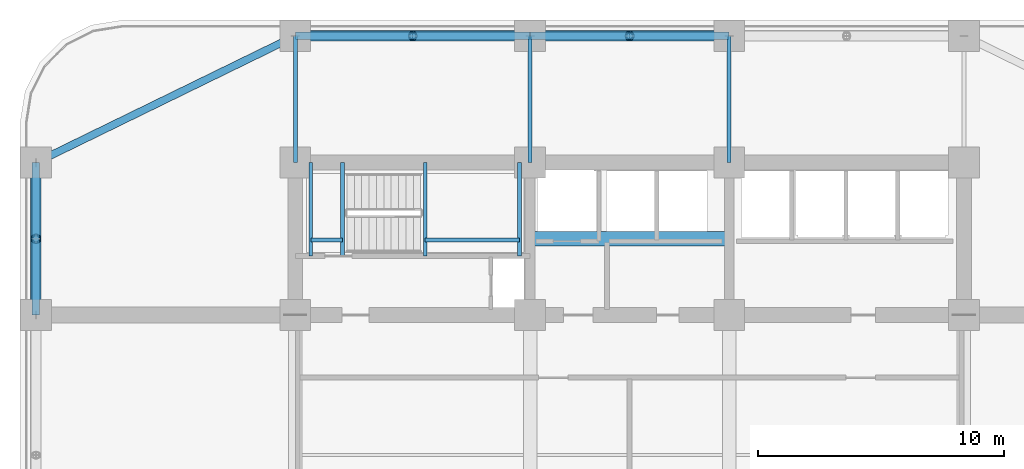
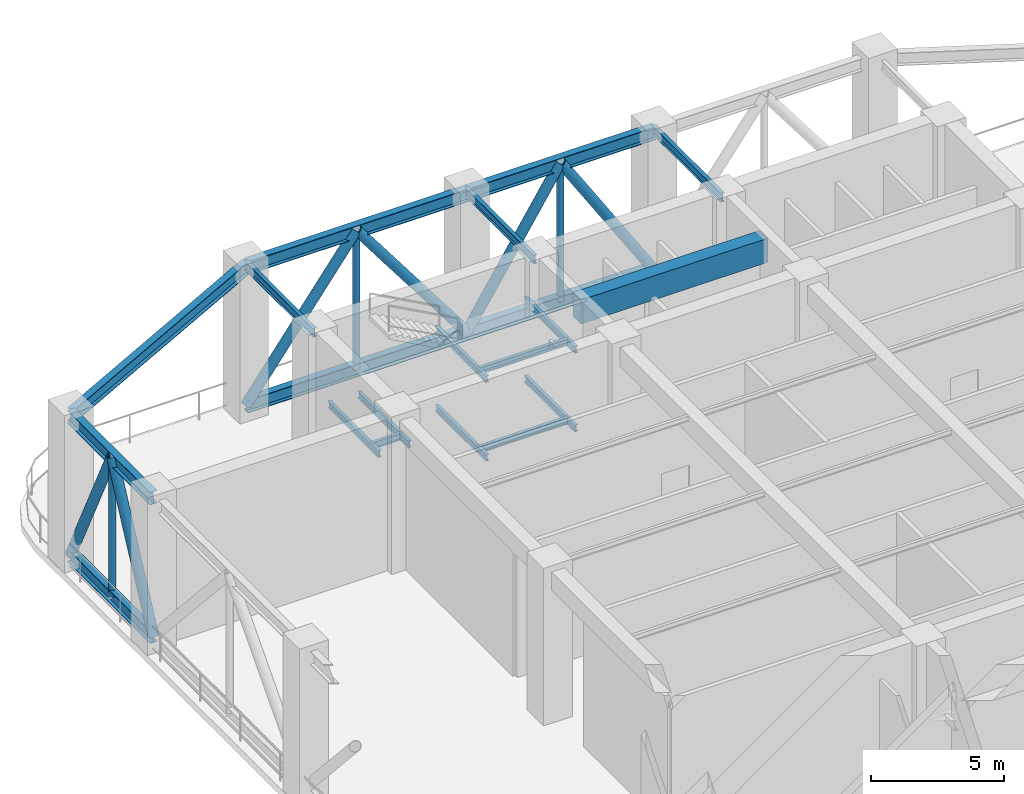
# One storey, part 8 of 20: 20 beams, 9 members.
"""IFC4 building model written with IfcOpenShell, lengths in metres."""

from ifc_helpers import new_model, si_unit, direction, frame, origin, origin_2d, place, context, subcontext, project, spatial, rectangle, hollow_circle, i_section, extrude, material, material_profile, profile_set, type_object, element, save


model = new_model("IFC4")

# Units and contexts
model_context = context("Model", 3, precision=1e-05, world=origin(), true_north=direction((0.0, 1.0)))
body_context = subcontext(model_context, "Body", "Model", "MODEL_VIEW")
ifc_project = project(units=[si_unit("LENGTHUNIT", "METRE"), si_unit("AREAUNIT", "SQUARE_METRE"), si_unit("VOLUMEUNIT", "CUBIC_METRE"), si_unit("PLANEANGLEUNIT", "RADIAN"), si_unit("MASSUNIT", "GRAM", prefix="KILO")], contexts=[model_context])

# Site, building, storey
site_placement = place(None, origin())
site = spatial("IfcSite", under=ifc_project, at=site_placement, CompositionType="ELEMENT")
building_placement = place(site_placement, origin())
building = spatial("IfcBuilding", under=site, at=building_placement, Name="Svetorya Sky Lyceum", CompositionType="ELEMENT")
storey_placement = place(building_placement, frame((0.0, 0.0, 76.89990234375)))
storey = spatial("IfcBuildingStorey", under=building, at=storey_placement, Name="L19", CompositionType="ELEMENT", Elevation=76.89990234375)

# Beams
ifc_material_1 = material(Name="Concrete C60/75", Category="concrete")
ifc_material_profile_1 = material_profile(ifc_material_1, rectangle(XDim=0.60009765625, YDim=1.10009765625, at=origin_2d()), Name="RC COUPLING 600x1100")
ifc_profile_set_1 = profile_set([ifc_material_profile_1], Name="Concrete C60/75")
beam_type_1 = type_object("IfcBeamType", Name="BM-CPL-1100", PredefinedType="LINTEL", material=ifc_profile_set_1)
beam_1_placement = place(storey_placement, frame((35.14990234375, 42.699951171875, 6.3701171875), z_axis=(1.0, 0.0, 0.0), x_axis=(0.0, 1.0, 0.0)))
element("IfcBeam", 1, at=beam_1_placement, inside=storey, type_object=beam_type_1, Name="L19 NC Core Coupling Beam", PredefinedType="LINTEL", context=body_context, shape_type="SweptSolid", body=[
    extrude(rectangle(XDim=0.60009765625, YDim=1.10009765625, at=origin_2d()), origin(), (0.0, 0.0, 1.0), 8.10009765625),
])
ifc_material_2 = material(Name="Steel S355", Category="steel")
ifc_material_profile_2 = material_profile(ifc_material_2, i_section(OverallWidth=0.14990234375, OverallDepth=0.299072265625, WebThickness=0.006591796875, FlangeThickness=0.010498046875, at=origin_2d()), Name="GOST 30B2")
ifc_profile_set_2 = profile_set([ifc_material_profile_2], Name="Steel S355")
beam_type_2 = type_object("IfcBeamType", Name="BM-STL-30B2", PredefinedType="JOIST", material=ifc_profile_set_2)
for number, where, z_axis, x_axis, name in (
    (2, (30.8798828125, 42.0, 1.45068359375), (0.0, 1.0, 0.0), (-1.0, 0.0, 0.0), "L19 Stair ST-N Half-Landing Support Beam 21.1"),
    (3, (34.719970703125, 42.0, 1.45068359375), (0.0, 1.0, 0.0), (-1.0, 0.0, 0.0), "L19 Stair ST-N Half-Landing Support Beam 21.2"),
):
    element("IfcBeam", number, at=place(storey_placement, frame(where, z_axis=z_axis, x_axis=x_axis)), inside=storey, type_object=beam_type_2, Name=name, PredefinedType="JOIST", context=body_context, shape_type="SweptSolid", body=[
        extrude(i_section(OverallWidth=0.14990234375, OverallDepth=0.299072265625, WebThickness=0.006591796875, FlangeThickness=0.010498046875, at=origin_2d()), origin(), (0.0, 0.0, 1.0), 3.800048828125),
    ])
beam_2_placement = place(storey_placement, frame((30.8798828125, 42.64990234375, 1.45068359375), z_axis=(1.0, 0.0, 0.0), x_axis=(0.0, 1.0, 0.0)))
element("IfcBeam", 4, at=beam_2_placement, inside=storey, type_object=beam_type_2, Name="L19 Stair ST-N Half-Landing Cross Tie 21", PredefinedType="JOIST", context=body_context, shape_type="SweptSolid", body=[
    extrude(i_section(OverallWidth=0.14990234375, OverallDepth=0.299072265625, WebThickness=0.006591796875, FlangeThickness=0.010498046875, at=origin_2d()), origin(), (0.0, 0.0, 1.0), 3.840087890625),
])
for number, where, z_axis, x_axis, name in (
    (5, (26.22998046875, 42.0, 3.25048828125), (0.0, 1.0, 0.0), (-1.0, 0.0, 0.0), "L19 Stair ST-N Half-Landing Support Beam 22.1"),
    (6, (27.52001953125, 42.0, 3.25048828125), (0.0, 1.0, 0.0), (-1.0, 0.0, 0.0), "L19 Stair ST-N Half-Landing Support Beam 22.2"),
):
    element("IfcBeam", number, at=place(storey_placement, frame(where, z_axis=z_axis, x_axis=x_axis)), inside=storey, type_object=beam_type_2, Name=name, PredefinedType="JOIST", context=body_context, shape_type="SweptSolid", body=[
        extrude(i_section(OverallWidth=0.14990234375, OverallDepth=0.299072265625, WebThickness=0.006591796875, FlangeThickness=0.010498046875, at=origin_2d()), origin(), (0.0, 0.0, 1.0), 3.800048828125),
    ])
beam_3_placement = place(storey_placement, frame((26.22998046875, 42.64990234375, 3.25048828125), z_axis=(1.0, 0.0, 0.0), x_axis=(0.0, 1.0, 0.0)))
element("IfcBeam", 7, at=beam_3_placement, inside=storey, type_object=beam_type_2, Name="L19 Stair ST-N Half-Landing Cross Tie 22", PredefinedType="JOIST", context=body_context, shape_type="SweptSolid", body=[
    extrude(i_section(OverallWidth=0.14990234375, OverallDepth=0.299072265625, WebThickness=0.006591796875, FlangeThickness=0.010498046875, at=origin_2d()), origin(), (0.0, 0.0, 1.0), 1.2900390625),
])
for number, where, z_axis, x_axis, name in (
    (8, (30.8798828125, 42.0, 5.050537109375), (0.0, 1.0, 0.0), (-1.0, 0.0, 0.0), "L19 Stair ST-N Half-Landing Support Beam 23.1"),
    (9, (34.719970703125, 42.0, 5.050537109375), (0.0, 1.0, 0.0), (-1.0, 0.0, 0.0), "L19 Stair ST-N Half-Landing Support Beam 23.2"),
):
    element("IfcBeam", number, at=place(storey_placement, frame(where, z_axis=z_axis, x_axis=x_axis)), inside=storey, type_object=beam_type_2, Name=name, PredefinedType="JOIST", context=body_context, shape_type="SweptSolid", body=[
        extrude(i_section(OverallWidth=0.14990234375, OverallDepth=0.299072265625, WebThickness=0.006591796875, FlangeThickness=0.010498046875, at=origin_2d()), origin(), (0.0, 0.0, 1.0), 3.800048828125),
    ])
beam_4_placement = place(storey_placement, frame((30.8798828125, 42.64990234375, 5.050537109375), z_axis=(1.0, 0.0, 0.0), x_axis=(0.0, 1.0, 0.0)))
element("IfcBeam", 10, at=beam_4_placement, inside=storey, type_object=beam_type_2, Name="L19 Stair ST-N Half-Landing Cross Tie 23", PredefinedType="JOIST", context=body_context, shape_type="SweptSolid", body=[
    extrude(i_section(OverallWidth=0.14990234375, OverallDepth=0.299072265625, WebThickness=0.006591796875, FlangeThickness=0.010498046875, at=origin_2d()), origin(), (0.0, 0.0, 1.0), 3.840087890625),
])
ifc_material_profile_3 = material_profile(ifc_material_2, i_section(OverallWidth=0.1650390625, OverallDepth=0.39990234375, WebThickness=0.008056640625, FlangeThickness=0.012939453125, at=origin_2d()), Name="GOST 40B2")
ifc_profile_set_3 = profile_set([ifc_material_profile_3], Name="Steel S355")
beam_type_3 = type_object("IfcBeamType", Name="BM-STL-40B2", PredefinedType="JOIST", material=ifc_profile_set_3)
for number, where, z_axis, x_axis, name in (
    (11, (25.60009765625, 45.800048828125, 6.72021484375), (0.0, 1.0, 0.0), (-1.0, 0.0, 0.0), "L19 North Bay Floor Girder N1"),
    (12, (35.14990234375, 45.800048828125, 6.72021484375), (0.0, 1.0, 0.0), (-1.0, 0.0, 0.0), "L19 North Bay Floor Girder N2"),
    (13, (43.25, 45.800048828125, 6.72021484375), (0.0, 1.0, 0.0), (-1.0, 0.0, 0.0), "L19 North Bay Floor Girder N3"),
):
    element("IfcBeam", number, at=place(storey_placement, frame(where, z_axis=z_axis, x_axis=x_axis)), inside=storey, type_object=beam_type_3, Name=name, PredefinedType="JOIST", context=body_context, shape_type="SweptSolid", body=[
        extrude(i_section(OverallWidth=0.1650390625, OverallDepth=0.39990234375, WebThickness=0.008056640625, FlangeThickness=0.012939453125, at=origin_2d()), origin(), (0.0, 0.0, 1.0), 5.14990234375),
    ])
ifc_material_profile_4 = material_profile(ifc_material_2, i_section(OverallWidth=0.304931640625, OverallDepth=0.590087890625, WebThickness=0.014892578125, FlangeThickness=0.02392578125, at=origin_2d()), Name="GOST 60Sh2")
ifc_profile_set_4 = profile_set([ifc_material_profile_4], Name="Steel S355")
beam_type_4 = type_object("IfcBeamType", Name="BM-STL-60SH2", PredefinedType="BEAM", material=ifc_profile_set_4)
for number, where, z_axis, x_axis, name in (
    (14, (25.60009765625, 50.949951171875, 0.295166015625), (1.0, 0.0, 0.0), (0.0, 1.0, 0.0), "L19 Belt Truss Bottom Chord N-1"),
    (15, (25.60009765625, 50.949951171875, 6.625), (1.0, 0.0, 0.0), (0.0, 1.0, 0.0), "L19 Belt Truss Top Chord N-1"),
):
    element("IfcBeam", number, at=place(storey_placement, frame(where, z_axis=z_axis, x_axis=x_axis)), inside=storey, type_object=beam_type_4, Name=name, PredefinedType="BEAM", context=body_context, shape_type="SweptSolid", body=[
        extrude(i_section(OverallWidth=0.304931640625, OverallDepth=0.590087890625, WebThickness=0.014892578125, FlangeThickness=0.02392578125, at=origin_2d()), origin(), (0.0, 0.0, 1.0), 9.5498046875),
    ])
for number, where, z_axis, x_axis, name in (
    (16, (35.14990234375, 50.949951171875, 0.295166015625), (1.0, 0.0, 0.0), (0.0, 1.0, 0.0), "L19 Belt Truss Bottom Chord N-2"),
    (17, (35.14990234375, 50.949951171875, 6.625), (1.0, 0.0, 0.0), (0.0, 1.0, 0.0), "L19 Belt Truss Top Chord N-2"),
):
    element("IfcBeam", number, at=place(storey_placement, frame(where, z_axis=z_axis, x_axis=x_axis)), inside=storey, type_object=beam_type_4, Name=name, PredefinedType="BEAM", context=body_context, shape_type="SweptSolid", body=[
        extrude(i_section(OverallWidth=0.304931640625, OverallDepth=0.590087890625, WebThickness=0.014892578125, FlangeThickness=0.02392578125, at=origin_2d()), origin(), (0.0, 0.0, 1.0), 8.10009765625),
    ])
for number, where, z_axis, x_axis, name in (
    (18, (15.050048828125, 39.60009765625, 0.295166015625), (0.0, 1.0, 0.0), (-1.0, 0.0, 0.0), "L19 Belt Truss Bottom Chord W-4"),
    (19, (15.050048828125, 39.60009765625, 6.625), (0.0, 1.0, 0.0), (-1.0, 0.0, 0.0), "L19 Belt Truss Top Chord W-4"),
):
    element("IfcBeam", number, at=place(storey_placement, frame(where, z_axis=z_axis, x_axis=x_axis)), inside=storey, type_object=beam_type_4, Name=name, PredefinedType="BEAM", context=body_context, shape_type="SweptSolid", body=[
        extrude(i_section(OverallWidth=0.304931640625, OverallDepth=0.590087890625, WebThickness=0.014892578125, FlangeThickness=0.02392578125, at=origin_2d()), origin(), (0.0, 0.0, 1.0), 6.199951171875),
    ])
beam_5_placement = place(storey_placement, frame((15.050048828125, 45.800048828125, 6.625), z_axis=(0.898649693653, 0.438666989978, 0.0), x_axis=(-0.438666989978, 0.898649693653, 0.0)))
element("IfcBeam", 20, at=beam_5_placement, inside=storey, type_object=beam_type_4, Name="L19 Belt Truss Corner Tie 4", PredefinedType="BEAM", context=body_context, shape_type="SweptSolid", body=[
    extrude(i_section(OverallWidth=0.304931640625, OverallDepth=0.590087890625, WebThickness=0.014892578125, FlangeThickness=0.02392578125, at=origin_2d()), origin(), (0.0, 0.0, 1.0), 11.739990234375),
])

# Members
ifc_material_profile_5 = material_profile(ifc_material_2, hollow_circle(Radius=0.212890625, WallThickness=0.01806640625, at=origin_2d()), Name="CHS 426x18")
ifc_profile_set_5 = profile_set([ifc_material_profile_5], Name="Steel S355")
member_type_1 = type_object("IfcMemberType", Name="MB-BRC-CHS426", PredefinedType="BRACE", material=ifc_profile_set_5)
for number, where, z_axis, x_axis, name in (
    (21, (25.60009765625, 50.949951171875, 0.295166015625), (0.602219598405, 0.0, 0.79833048), (0.0, 1.0, 0.0), "L19 Belt Truss Diagonal N-1A"),
    (22, (35.14990234375, 50.949951171875, 0.295166015625), (-0.602219598405, 0.0, 0.79833048), (0.0, -1.0, 0.0), "L19 Belt Truss Diagonal N-1B"),
):
    element("IfcMember", number, at=place(storey_placement, frame(where, z_axis=z_axis, x_axis=x_axis)), inside=storey, type_object=member_type_1, Name=name, PredefinedType="BRACE", context=body_context, shape_type="SweptSolid", body=[
        extrude(hollow_circle(Radius=0.212890625, WallThickness=0.01806640625, at=origin_2d()), origin(), (0.0, 0.0, 1.0), 7.928955078125),
    ])
for number, where, z_axis, x_axis, name in (
    (23, (35.14990234375, 50.949951171875, 0.295166015625), (0.53895504656, 0.0, 0.842334528432), (0.0, 1.0, 0.0), "L19 Belt Truss Diagonal N-2A"),
    (24, (43.25, 50.949951171875, 0.295166015625), (-0.53895504656, 0.0, 0.842334528432), (0.0, -1.0, 0.0), "L19 Belt Truss Diagonal N-2B"),
):
    element("IfcMember", number, at=place(storey_placement, frame(where, z_axis=z_axis, x_axis=x_axis)), inside=storey, type_object=member_type_1, Name=name, PredefinedType="BRACE", context=body_context, shape_type="SweptSolid", body=[
        extrude(hollow_circle(Radius=0.212890625, WallThickness=0.01806640625, at=origin_2d()), origin(), (0.0, 0.0, 1.0), 7.5146484375),
    ])
member_1_placement = place(storey_placement, frame((15.050048828125, 39.60009765625, 0.295166015625), z_axis=(0.0, 0.439813284341, 0.898089235498), x_axis=(-1.0, 0.0, 0.0)))
element("IfcMember", 25, at=member_1_placement, inside=storey, type_object=member_type_1, Name="L19 Belt Truss Diagonal W-4A", PredefinedType="BRACE", context=body_context, shape_type="SweptSolid", body=[
    extrude(hollow_circle(Radius=0.212890625, WallThickness=0.01806640625, at=origin_2d()), origin(), (0.0, 0.0, 1.0), 7.048095703125),
])
member_2_placement = place(storey_placement, frame((15.050048828125, 45.800048828125, 0.295166015625), z_axis=(0.0, -0.439841222403, 0.898075553099), x_axis=(1.0, 0.0, 0.0)))
element("IfcMember", 26, at=member_2_placement, inside=storey, type_object=member_type_1, Name="L19 Belt Truss Diagonal W-4B", PredefinedType="BRACE", context=body_context, shape_type="SweptSolid", body=[
    extrude(hollow_circle(Radius=0.212890625, WallThickness=0.01806640625, at=origin_2d()), origin(), (0.0, 0.0, 1.0), 7.04833984375),
])
ifc_material_profile_6 = material_profile(ifc_material_2, hollow_circle(Radius=0.136474609375, WallThickness=0.011962890625, at=origin_2d()), Name="CHS 273x12")
ifc_profile_set_6 = profile_set([ifc_material_profile_6], Name="Steel S355")
member_type_2 = type_object("IfcMemberType", Name="MB-STR-CHS273", PredefinedType="STRUT", material=ifc_profile_set_6)
for number, where, z_axis, x_axis, name in (
    (27, (30.375, 50.949951171875, 0.295166015625), (0.0, 0.0, 1.0), (1.0, 0.0, 0.0), "L19 Belt Truss Post N-1"),
    (28, (39.199951171875, 50.949951171875, 0.295166015625), (0.0, 0.0, 1.0), (1.0, 0.0, 0.0), "L19 Belt Truss Post N-2"),
    (29, (15.050048828125, 42.699951171875, 0.295166015625), (0.0, 0.0, 1.0), (1.0, 0.0, 0.0), "L19 Belt Truss Post W-4"),
):
    element("IfcMember", number, at=place(storey_placement, frame(where, z_axis=z_axis, x_axis=x_axis)), inside=storey, type_object=member_type_2, Name=name, PredefinedType="STRUT", context=body_context, shape_type="SweptSolid", body=[
        extrude(hollow_circle(Radius=0.136474609375, WallThickness=0.011962890625, at=origin_2d()), origin(), (0.0, 0.0, 1.0), 6.329833984375),
    ])

save(model, "model.ifc")
